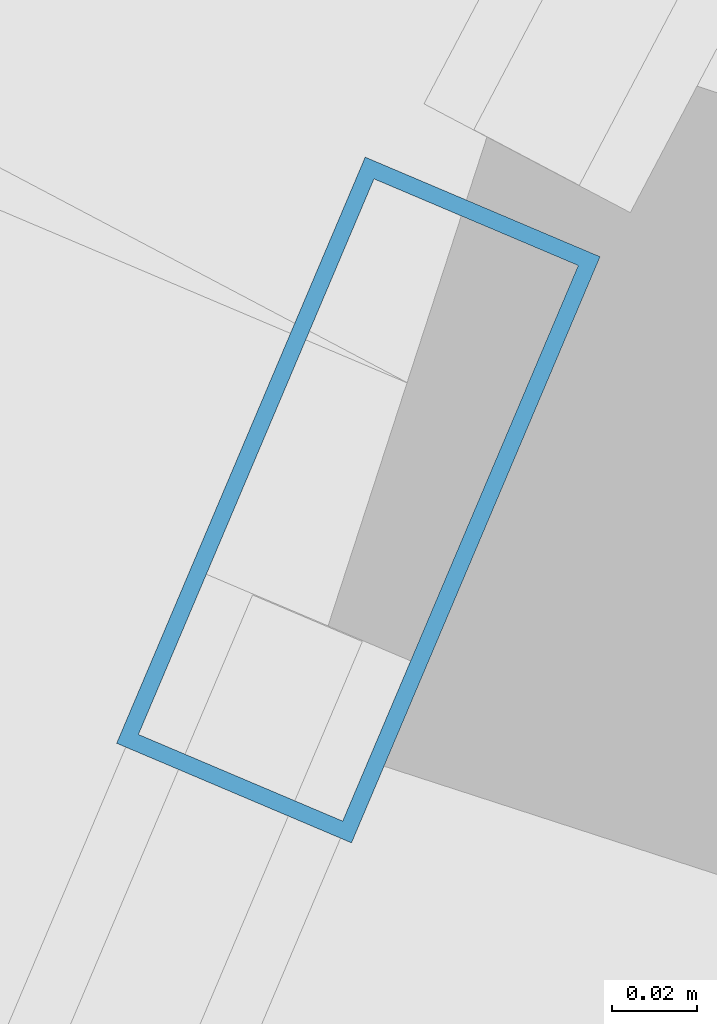
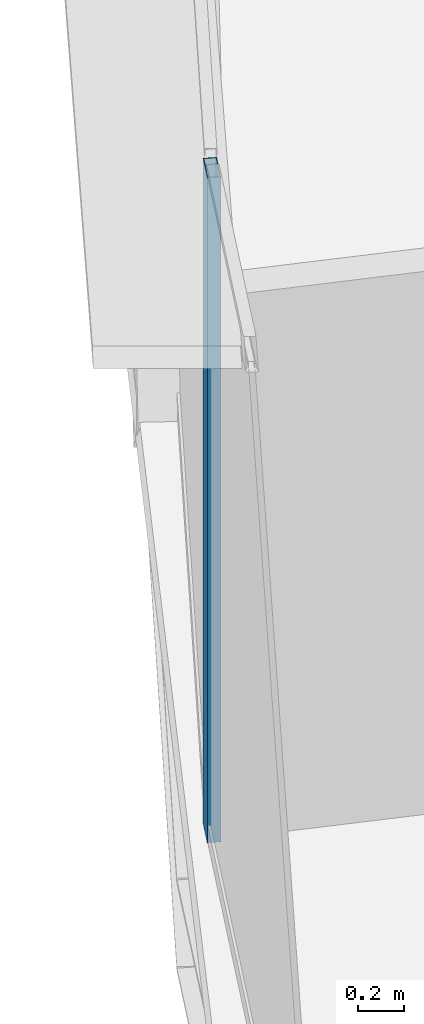
# One storey, part 8 of 37: 1 member, 1 element without a shape of its own.
"""IFC4 building model written with IfcOpenShell, lengths in metres."""

import ifcopenshell
import ifcopenshell.guid

model = None  # the IFC model being written
_history = None  # IfcOwnerHistory: only IFC2X3 demands one
_inside = {}  # id of a spatial element -> (the spatial element, [elements in it])
_under = {}  # id of a project, library or spatial element -> (it, [spatial elements below it])
_declared = {}  # id of a project -> (the project, [libraries it declares])
_typed = {}  # id of a type object -> (the type object, [elements of that type])
_made_of = {}  # id of a material, layer set ... -> (it, [elements and type objects made of it])


def new_model(schema):
    """Start an empty IFC model of exactly this schema.

    Asked for "IFC4X3", IfcOpenShell would pick the latest addendum, in which some entities
    have other attributes; the version numbers below select the first issue.
    IFC2X3 requires an IfcOwnerHistory on every rooted entity: one is made here for all.
    """
    global model, _history
    if schema == "IFC4X3":
        model = ifcopenshell.file(schema_version=(4, 3, 0, 0))
    else:
        model = ifcopenshell.file(schema=schema)
    _inside.clear()
    _under.clear()
    _declared.clear()
    _typed.clear()
    _made_of.clear()
    _history = None
    if model.schema == "IFC2X3":
        org = make("IfcOrganization", Name="unknown")
        user = make(
            "IfcPersonAndOrganization",
            ThePerson=make("IfcPerson", FamilyName="unknown"),
            TheOrganization=org,
        )
        app = make(
            "IfcApplication",
            ApplicationDeveloper=org,
            Version="unknown",
            ApplicationFullName="unknown",
            ApplicationIdentifier="unknown",
        )
        _history = make(
            "IfcOwnerHistory",
            OwningUser=user,
            OwningApplication=app,
            ChangeAction="ADDED",
            CreationDate=0,
        )
    return model


def make(cls, **values):
    """One entity of the class cls with the attributes given. An attribute that is None is left unset."""
    return model.create_entity(
        cls, **{name: value for name, value in values.items() if value is not None}
    )


def rooted(cls, **values):
    """An entity with a GlobalId (a new one), such as an element, a storey or a relation."""
    return make(cls, GlobalId=ifcopenshell.guid.new(), OwnerHistory=_history, **values)


def si_unit(unit_type, name, prefix=None):
    """IfcSIUnit, for example si_unit("LENGTHUNIT", "METRE", prefix="MILLI")."""
    return make("IfcSIUnit", UnitType=unit_type, Prefix=prefix, Name=name)


def assignment(units):
    """IfcUnitAssignment: the units of a project."""
    return None if units is None else make("IfcUnitAssignment", Units=units)


def point(xyz):
    """IfcCartesianPoint."""
    return None if xyz is None else make("IfcCartesianPoint", Coordinates=xyz)


def direction(xyz):
    """IfcDirection."""
    return None if xyz is None else make("IfcDirection", DirectionRatios=xyz)


def frame(location, z_axis=None, x_axis=None):
    """IfcAxis2Placement3D, a coordinate frame: its origin and axes. An axis left out is left unset."""
    return make(
        "IfcAxis2Placement3D",
        Location=point(location),
        Axis=direction(z_axis),
        RefDirection=direction(x_axis),
    )


def frame_2d(location, x_axis=None):
    """IfcAxis2Placement2D, a coordinate frame in the plane: its origin and x axis."""
    return make(
        "IfcAxis2Placement2D", Location=point(location), RefDirection=direction(x_axis)
    )


def origin():
    """The frame at (0, 0, 0) with its axes left unset."""
    return frame((0.0, 0.0, 0.0))


def origin_2d():
    """The frame at (0, 0) in the plane with its x axis left unset."""
    return frame_2d((0.0, 0.0))


def place(relative_to, where):
    """IfcLocalPlacement: puts the frame where relative to a parent placement (None: the world)."""
    return make(
        "IfcLocalPlacement", PlacementRelTo=relative_to, RelativePlacement=where
    )


def context(
    kind, dimensions, precision=None, world=None, true_north=None, identifier=None
):
    """IfcGeometricRepresentationContext, for example the 3D "Model" context."""
    return make(
        "IfcGeometricRepresentationContext",
        ContextIdentifier=identifier,
        ContextType=kind,
        CoordinateSpaceDimension=dimensions,
        Precision=precision,
        WorldCoordinateSystem=world,
        TrueNorth=true_north,
    )


def subcontext(parent, identifier, kind, view, scale=None):
    """IfcGeometricRepresentationSubContext, for example "Body" below "Model"."""
    return make(
        "IfcGeometricRepresentationSubContext",
        ContextIdentifier=identifier,
        ContextType=kind,
        ParentContext=parent,
        TargetScale=scale,
        TargetView=view,
    )


def project(units=None, contexts=None):
    """IfcProject with its units and contexts."""
    return rooted(
        "IfcProject",
        Name="project",
        RepresentationContexts=contexts,
        UnitsInContext=assignment(units),
    )


def spatial(cls, under=None, at=None, **own):
    """A site, building, storey or space (cls), placed at a placement, below another one or the project."""
    s = rooted(cls, ObjectPlacement=at, **own)
    if under is not None:
        _under.setdefault(under.id(), (under, []))[1].append(s)
    return s


def profile(cls, at=None, kind="AREA", **sizes):
    """A parametric profile (cls). Its sizes go by their IFC names, for example OverallWidth=200.0."""
    return make(cls, ProfileType=kind, Position=at, **sizes)


def hollow_rectangle(**sizes):
    """IfcRectangleHollowProfileDef."""
    return profile("IfcRectangleHollowProfileDef", **sizes)


def extrude(swept, where, along, depth):
    """IfcExtrudedAreaSolid: the profile swept, set in the frame where, extruded along a direction by depth."""
    return make(
        "IfcExtrudedAreaSolid",
        SweptArea=swept,
        Position=where,
        ExtrudedDirection=direction(along),
        Depth=depth,
    )


def shape(context_of_items, identifier, shape_type, items):
    """IfcShapeRepresentation: the items that make up one representation, for example the "Body"."""
    return make(
        "IfcShapeRepresentation",
        ContextOfItems=context_of_items,
        RepresentationIdentifier=identifier,
        RepresentationType=shape_type,
        Items=items,
    )


def source(mapping_origin, context_of_items, identifier, shape_type, items):
    """IfcRepresentationMap: a shape defined once, which mapped items show again and again."""
    return make(
        "IfcRepresentationMap",
        MappingOrigin=mapping_origin,
        MappedRepresentation=shape(context_of_items, identifier, shape_type, items),
    )


def transform(
    local_origin,
    x_axis=None,
    y_axis=None,
    z_axis=None,
    scale=None,
    scale2=None,
    scale3=None,
    uniform=True,
):
    """IfcCartesianTransformationOperator3D, or its non-uniform kind. x_axis, y_axis, z_axis: its Axis1, 2, 3."""
    if uniform:
        return make(
            "IfcCartesianTransformationOperator3D",
            Axis1=direction(x_axis),
            Axis2=direction(y_axis),
            LocalOrigin=point(local_origin),
            Scale=scale,
            Axis3=direction(z_axis),
        )
    return make(
        "IfcCartesianTransformationOperator3DnonUniform",
        Axis1=direction(x_axis),
        Axis2=direction(y_axis),
        LocalOrigin=point(local_origin),
        Scale=scale,
        Axis3=direction(z_axis),
        Scale2=scale2,
        Scale3=scale3,
    )


def mapped(mapping_source, mapping_target):
    """IfcMappedItem: shows the shape of a source again, moved by a transform."""
    return make(
        "IfcMappedItem", MappingSource=mapping_source, MappingTarget=mapping_target
    )


def material(Name=None, Category=None):
    """IfcMaterial."""
    return make("IfcMaterial", Name=Name, Category=Category)


def layer(
    of_material, thickness, ventilated=None, Name=None, Category=None, Priority=None
):
    """IfcMaterialLayer: one layer of a wall or slab, of a material (None: an air gap)."""
    return make(
        "IfcMaterialLayer",
        Material=of_material,
        LayerThickness=thickness,
        IsVentilated=ventilated,
        Name=Name,
        Category=Category,
        Priority=Priority,
    )


def layer_set(layers, Name=None):
    """IfcMaterialLayerSet."""
    return make("IfcMaterialLayerSet", MaterialLayers=layers, LayerSetName=Name)


def material_profile(
    of_material, cross_section, Name=None, Category=None, Priority=None
):
    """IfcMaterialProfile: a cross section and its material."""
    return make(
        "IfcMaterialProfile",
        Name=Name,
        Material=of_material,
        Profile=cross_section,
        Priority=Priority,
        Category=Category,
    )


def profile_set(profiles, Name=None, composite=None):
    """IfcMaterialProfileSet."""
    return make(
        "IfcMaterialProfileSet",
        Name=Name,
        MaterialProfiles=profiles,
        CompositeProfile=composite,
    )


def made_of(thing, what):
    """Note that an element or type object is made of a material, layer set ...; save() writes the relation."""
    if what is not None:
        _made_of.setdefault(what.id(), (what, []))[1].append(thing)
    return thing


def type_object(cls, material=None, **own):
    """A type object (cls), such as IfcWallType, which elements share."""
    return made_of(rooted(cls, **own), material)


def element(
    cls,
    number,
    at=None,
    inside=None,
    cuts=None,
    type_object=None,
    material=None,
    context=None,
    identifier="Body",
    shape_type=None,
    held_by="IfcProductDefinitionShape",
    body=None,
    shapes=None,
    **own,
):
    """One element of the class cls, such as IfcWall. Its Tag is "e" and its number.

    at: its placement. inside: the storey or other place that contains it. cuts: it is an
    opening in that element (IfcRelVoidsElement). A single representation is given by context,
    identifier, shape_type and body (its items); several are given by shapes. held_by: the class
    of the entity that holds the representations. save() writes the other relations.
    """
    e = rooted(cls, Tag="e%d" % number, ObjectPlacement=at, **own)
    if body is not None:
        shapes = [shape(context, identifier, shape_type, body)]
    if shapes is not None:
        e.Representation = make(held_by, Representations=shapes)
    if inside is not None:
        _inside.setdefault(inside.id(), (inside, []))[1].append(e)
    if cuts is not None:
        rooted(
            "IfcRelVoidsElement", RelatingBuildingElement=cuts, RelatedOpeningElement=e
        )
    if type_object is not None:
        _typed.setdefault(type_object.id(), (type_object, []))[1].append(e)
    return made_of(e, material)


def aggregate(whole, parts):
    """IfcRelAggregates: a whole, such as a stair, and the parts it consists of."""
    return rooted("IfcRelAggregates", RelatingObject=whole, RelatedObjects=parts)


def save(model, path):
    """Write the relations noted so far, then the file.

    IfcRelAggregates (storeys below a building ...), IfcRelContainedInSpatialStructure (elements
    in a storey), IfcRelDefinesByType, IfcRelAssociatesMaterial and IfcRelDeclares: one each for
    every whole, place, type object, material and project.
    """
    for whole, parts in _under.values():
        aggregate(whole, parts)
    for where, things in _inside.values():
        rooted(
            "IfcRelContainedInSpatialStructure",
            RelatedElements=things,
            RelatingStructure=where,
        )
    for kind, things in _typed.values():
        rooted("IfcRelDefinesByType", RelatedObjects=things, RelatingType=kind)
    for what, things in _made_of.values():
        rooted("IfcRelAssociatesMaterial", RelatedObjects=things, RelatingMaterial=what)
    for by, libraries in _declared.values():
        rooted("IfcRelDeclares", RelatingContext=by, RelatedDefinitions=libraries)
    model.write(path)


model = new_model("IFC4")

# Units and contexts
model_context = context("Model", 3, precision=1e-05, world=origin(), true_north=direction((0.0, 1.0)))
body_context = subcontext(model_context, "Body", "Model", "MODEL_VIEW")
ifc_project = project(units=[si_unit("LENGTHUNIT", "METRE"), si_unit("AREAUNIT", "SQUARE_METRE"), si_unit("VOLUMEUNIT", "CUBIC_METRE"), si_unit("PLANEANGLEUNIT", "RADIAN"), si_unit("MASSUNIT", "GRAM", prefix="KILO"), si_unit("THERMODYNAMICTEMPERATUREUNIT", "KELVIN"), si_unit("POWERUNIT", "WATT")], contexts=[model_context])

# Site, building, storey
site_placement = place(None, origin())
site = spatial("IfcSite", under=ifc_project, at=site_placement, CompositionType="ELEMENT")
building_placement = place(site_placement, origin())
building = spatial("IfcBuilding", under=site, at=building_placement, Name="Yunzhuo Pagoda Commons", CompositionType="ELEMENT")
storey_placement = place(building_placement, frame((0.0, 0.0, 196.159912109375)))
storey = spatial("IfcBuildingStorey", under=building, at=storey_placement, Name="L49", CompositionType="ELEMENT", Elevation=196.159912109375)

# Curtain wall, member
ifc_material = material(Name="Anodized aluminium 6063-T6", Category="aluminium")
ifc_layer = layer(ifc_material, 0.14990234375)
ifc_layer_set = layer_set([ifc_layer], Name="Anodized aluminium 6063-T6")
curtain_wall_type = type_object("IfcCurtainWallType", Name="CW-MID Mid-Zone Ribbon Curtain Wall", PredefinedType="NOTDEFINED", material=ifc_layer_set)
curtain_wall_placement = place(storey_placement, origin())
curtain_wall = element("IfcCurtainWall", 1, at=curtain_wall_placement, inside=storey, type_object=curtain_wall_type, Name="L49 curtain wall CW-L49-F3B4", PredefinedType="NOTDEFINED")
ifc_material_profile = material_profile(ifc_material, hollow_rectangle(XDim=0.06005859375, YDim=0.14990234375, WallThickness=0.00390625, at=origin_2d()), Name="Anodized aluminium 6063-T6")
ifc_profile_set = profile_set([ifc_material_profile], Name="Anodized aluminium 6063-T6")
member_type = type_object("IfcMemberType", Name="CW-MID-M Mullion RHS 150x60x4", PredefinedType="MULLION", material=ifc_profile_set)
shared_shape = source(origin(), body_context, "Body", "SweptSolid", [
    extrude(hollow_rectangle(XDim=0.06005859375, YDim=0.14990234375, WallThickness=0.00390625, at=origin_2d()), origin(), (0.0, 0.0, 1.0), 3.5400390625),
])
member_placement = place(storey_placement, frame((17.6123046875, 43.542236328125, 0.0), z_axis=(0.0, 0.0, 1.0), x_axis=(0.920666607247, -0.390349840912, 0.0)))
member = element("IfcMember", 2, at=member_placement, type_object=member_type, Name="CW mullion 1", PredefinedType="MULLION", context=body_context, shape_type="MappedRepresentation", body=[
    mapped(shared_shape, transform((0.0, 0.0, 0.0), scale=1.0)),
])
aggregate(curtain_wall, [member])

save(model, "model.ifc")
